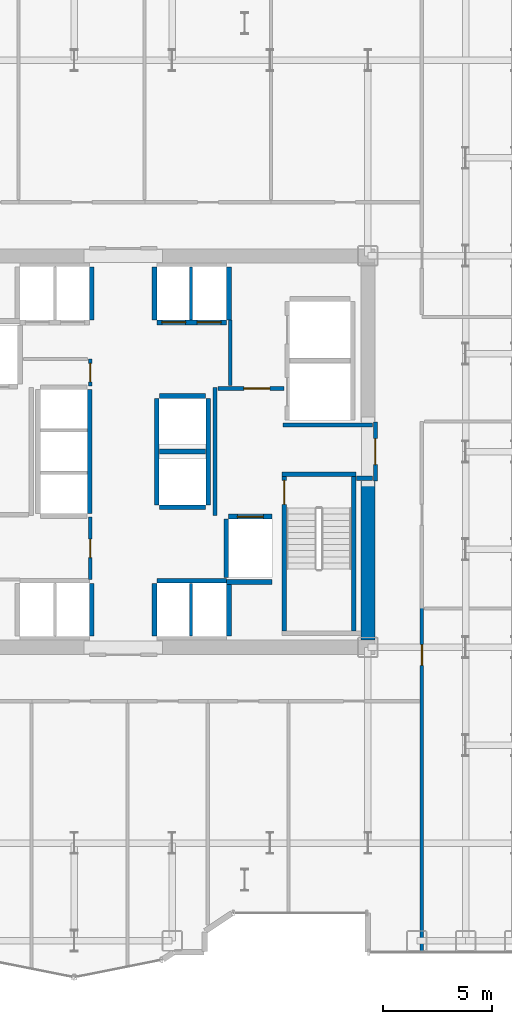
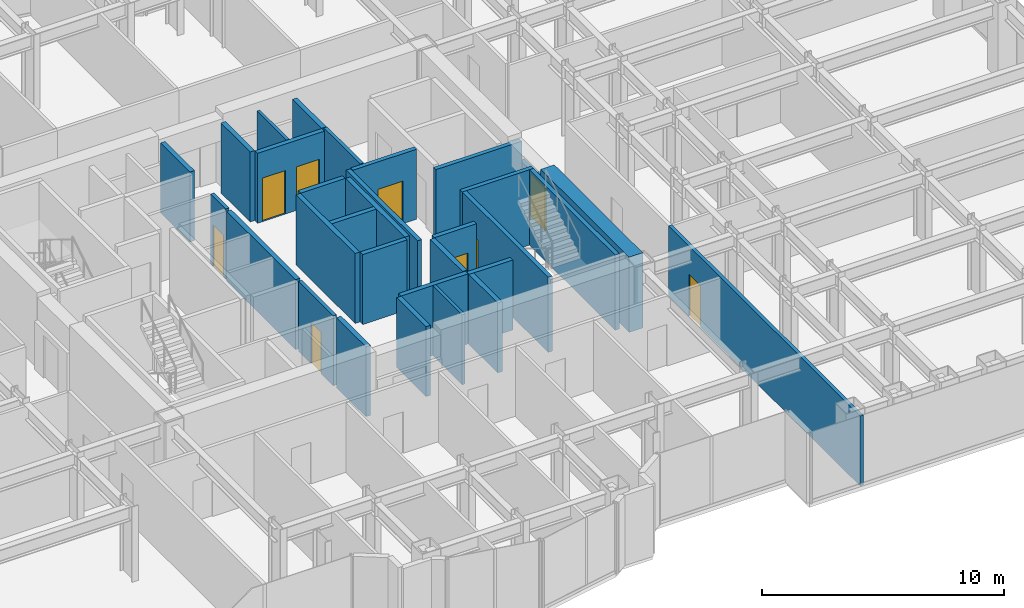
# One storey, part 22 of 25: 32 walls, 9 doors, 9 openings.
"""IFC4 building model written with IfcOpenShell, lengths in metres."""

from ifc_helpers import new_model, si_unit, direction, frame, frame_2d, origin, place, context, subcontext, project, spatial, rectangle, extrude, source, transform, mapped, material, layer, layer_set, type_object, element, fill, save


model = new_model("IFC4")

# Units and contexts
model_context = context("Model", 3, precision=1e-05, world=origin(), true_north=direction((0.0, 1.0)))
body_context = subcontext(model_context, "Body", "Model", "MODEL_VIEW")
ifc_project = project(units=[si_unit("LENGTHUNIT", "METRE"), si_unit("AREAUNIT", "SQUARE_METRE"), si_unit("VOLUMEUNIT", "CUBIC_METRE"), si_unit("PLANEANGLEUNIT", "RADIAN"), si_unit("MASSUNIT", "GRAM", prefix="KILO")], contexts=[model_context])

# Site, building, storey
site_placement = place(None, origin())
site = spatial("IfcSite", under=ifc_project, at=site_placement, CompositionType="ELEMENT")
building_placement = place(site_placement, origin())
building = spatial("IfcBuilding", under=site, at=building_placement, Name="Nefas-Gora Pilgrimage Tower", CompositionType="ELEMENT")
storey_placement = place(building_placement, frame((0.0, 0.0, 52.0)))
storey = spatial("IfcBuildingStorey", under=building, at=storey_placement, Name="L11", CompositionType="ELEMENT", Elevation=52.0)

# Walls
ifc_material_1 = material(Name="Concrete C60/75", Category="concrete")
ifc_layer_1 = layer(ifc_material_1, 0.64990234375)
ifc_layer_set_1 = layer_set([ifc_layer_1], Name="Concrete C60/75")
wall_type_1 = type_object("IfcWallType", Name="SW-CORE-650", PredefinedType="SHEAR", material=ifc_layer_set_1)
shared_shape_1 = source(origin(), body_context, "Body", "SweptSolid", [
    extrude(rectangle(XDim=7.324951171875, YDim=0.64990234375, at=frame_2d((3.66259765625, 0.0))), origin(), (0.0, 0.0, 1.0), 3.800048828125),
])
wall_1_placement = place(storey_placement, frame((11.25, -8.675048828125, 0.0), z_axis=(0.0, 0.0, 1.0), x_axis=(0.0, 1.0, 0.0)))
element("IfcWall", 1, at=wall_1_placement, inside=storey, type_object=wall_type_1, Name="L11 Core Shear Wall E-South", PredefinedType="SHEAR", context=body_context, shape_type="MappedRepresentation", body=[
    mapped(shared_shape_1, transform((0.0, 0.0, 0.0), x_axis=(1.0, 0.0, 0.0), y_axis=(0.0, 1.0, 0.0), z_axis=(0.0, 0.0, 1.0), scale=1.0)),
])
ifc_material_2 = material(Name="Concrete C45/55", Category="concrete")
ifc_layer_2 = layer(ifc_material_2, 0.199951171875)
ifc_layer_set_2 = layer_set([ifc_layer_2], Name="Concrete C45/55")
wall_type_2 = type_object("IfcWallType", Name="IW-STAIR-200", PredefinedType="SOLIDWALL", material=ifc_layer_set_2)
shared_shape_2 = source(origin(), body_context, "Body", "SweptSolid", [
    extrude(rectangle(XDim=3.39990234375, YDim=0.199951171875, at=frame_2d((1.699951171875, 0.0))), origin(), (0.0, 0.0, 1.0), 3.800048828125),
])
wall_2_placement = place(storey_placement, frame((7.300048828125, -1.050048828125, 0.0), z_axis=(0.0, 0.0, 1.0), x_axis=(1.0, 0.0, 0.0)))
element("IfcWall", 2, at=wall_2_placement, inside=storey, type_object=wall_type_2, Name="L11 Stairwell Shear Wall ST-02-near", PredefinedType="SOLIDWALL", context=body_context, shape_type="MappedRepresentation", body=[
    mapped(shared_shape_2, transform((0.0, 0.0, 0.0), x_axis=(1.0, 0.0, 0.0), y_axis=(0.0, 1.0, 0.0), z_axis=(0.0, 0.0, 1.0), scale=1.0)),
])

# Wall, opening, door
shared_shape_3 = source(origin(), body_context, "Body", "SweptSolid", [
    extrude(rectangle(XDim=7.10009765625, YDim=0.199951171875, at=frame_2d((3.550048828125, 0.0))), origin(), (0.0, 0.0, 1.0), 3.800048828125),
])
wall_3_placement = place(storey_placement, frame((7.39990234375, -1.14990234375, 0.0), z_axis=(0.0, 0.0, 1.0), x_axis=(0.0, -1.0, 0.0)))
wall_3 = element("IfcWall", 3, at=wall_3_placement, inside=storey, type_object=wall_type_2, Name="L11 Stairwell Shear Wall ST-02-left", PredefinedType="SOLIDWALL", context=body_context, shape_type="MappedRepresentation", body=[
    mapped(shared_shape_3, transform((0.0, 0.0, 0.0), x_axis=(1.0, 0.0, 0.0), y_axis=(0.0, 1.0, 0.0), z_axis=(0.0, 0.0, 1.0), scale=1.0)),
])
opening_1_placement = place(wall_3_placement, frame((0.179931640625, 0.0, 0.0)))
opening_1 = element("IfcOpeningElement", 4, at=opening_1_placement, cuts=wall_3, Name="Opening ID-ST1", PredefinedType="OPENING", context=body_context, shape_type="SweptSolid", body=[
    extrude(rectangle(XDim=1.10009765625, YDim=2.14990234375, at=frame_2d((0.550048828125, 1.074951171875))), frame((0.0, 0.10986328125, 0.0), z_axis=(0.0, -1.0, 0.0), x_axis=(1.0, 0.0, 0.0)), (0.0, 0.0, 1.0), 0.219970703125),
])
ifc_material_3 = material(Name="Painted galvanised steel fire stair door", Category="steel")
door_type_1 = type_object("IfcDoorType", Name="DR-INT-STAIR-1100", OperationType="NOTDEFINED", PredefinedType="DOOR", material=ifc_material_3)
shared_shape_4 = source(origin(), body_context, "Body", "SweptSolid", [
    extrude(rectangle(XDim=1.10009765625, YDim=2.14990234375, at=frame_2d((0.550048828125, 1.074951171875))), frame((0.0, 0.02490234375, 0.0), z_axis=(0.0, -1.0, 0.0), x_axis=(1.0, 0.0, 0.0)), (0.0, 0.0, 1.0), 0.050048828125),
])
door_1_placement = place(opening_1_placement, origin())
door_1 = element("IfcDoor", 5, at=door_1_placement, inside=storey, type_object=door_type_1, Name="L11 Protected Exit Stair Door ST-02", OperationType="SINGLE_SWING_RIGHT", OverallHeight=2.14990234375, OverallWidth=1.10009765625, PredefinedType="DOOR", context=body_context, shape_type="MappedRepresentation", body=[
    mapped(shared_shape_4, transform((0.0, 0.0, 0.0), x_axis=(1.0, 0.0, 0.0), y_axis=(0.0, 1.0, 0.0), z_axis=(0.0, 0.0, 1.0), scale=1.0)),
])
fill(opening_1, door_1)

# Wall
wall_4_placement = place(storey_placement, frame((10.60009765625, -1.14990234375, 0.0), z_axis=(0.0, 0.0, 1.0), x_axis=(0.0, -1.0, 0.0)))
element("IfcWall", 6, at=wall_4_placement, inside=storey, type_object=wall_type_2, Name="L11 Stairwell Shear Wall ST-02-right", PredefinedType="SOLIDWALL", context=body_context, shape_type="MappedRepresentation", body=[
    mapped(shared_shape_3, transform((0.0, 0.0, 0.0), x_axis=(1.0, 0.0, 0.0), y_axis=(0.0, 1.0, 0.0), z_axis=(0.0, 0.0, 1.0), scale=1.0)),
])

# Wall, opening, door
ifc_material_4 = material(Name="Concrete C40/50", Category="concrete")
ifc_layer_3 = layer(ifc_material_4, 0.219970703125)
ifc_layer_set_3 = layer_set([ifc_layer_3], Name="Concrete C40/50")
wall_type_3 = type_object("IfcWallType", Name="IW-SHAFT-220", PredefinedType="SOLIDWALL", material=ifc_layer_set_3)
shared_shape_5 = source(origin(), body_context, "Body", "SweptSolid", [
    extrude(rectangle(XDim=2.0, YDim=0.219970703125, at=frame_2d((1.0, 0.0))), origin(), (0.0, 0.0, 1.0), 3.534912109375),
])
wall_5_placement = place(storey_placement, frame((6.85009765625, -2.989990234375, 0.0), z_axis=(0.0, 0.0, 1.0), x_axis=(-1.0, 0.0, 0.0)))
wall_5 = element("IfcWall", 7, at=wall_5_placement, inside=storey, type_object=wall_type_3, Name="L11 Hoistway Wall FFL-02-N", PredefinedType="SOLIDWALL", context=body_context, shape_type="MappedRepresentation", body=[
    mapped(shared_shape_5, transform((0.0, 0.0, 0.0), x_axis=(1.0, 0.0, 0.0), y_axis=(0.0, 1.0, 0.0), z_axis=(0.0, 0.0, 1.0), scale=1.0)),
])
opening_2_placement = place(wall_5_placement, frame((0.39990234375, 0.0, 0.0)))
opening_2 = element("IfcOpeningElement", 8, at=opening_2_placement, cuts=wall_5, Name="Opening LD-FF", PredefinedType="OPENING", context=body_context, shape_type="SweptSolid", body=[
    extrude(rectangle(XDim=1.199951171875, YDim=2.199951171875, at=frame_2d((0.60009765625, 1.10009765625))), frame((0.0, 0.119873046875, 0.0), z_axis=(0.0, -1.0, 0.0), x_axis=(1.0, 0.0, 0.0)), (0.0, 0.0, 1.0), 0.239990234375),
])
ifc_material_5 = material(Name="Fire-service sliding lift landing door")
door_type_2 = type_object("IfcDoorType", Name="DR-LIFT-FSAE-1200", OperationType="SLIDING_TO_LEFT", PredefinedType="DOOR", material=ifc_material_5)
shared_shape_6 = source(origin(), body_context, "Body", "SweptSolid", [
    extrude(rectangle(XDim=1.199951171875, YDim=2.199951171875, at=frame_2d((0.60009765625, 1.10009765625))), frame((0.0, 0.02490234375, 0.0), z_axis=(0.0, -1.0, 0.0), x_axis=(1.0, 0.0, 0.0)), (0.0, 0.0, 1.0), 0.050048828125),
])
door_2_placement = place(opening_2_placement, origin())
door_2 = element("IfcDoor", 9, at=door_2_placement, inside=storey, type_object=door_type_2, Name="L11 Sliding Lift Landing Door FFL-02", OperationType="SLIDING_TO_LEFT", OverallHeight=2.199951171875, OverallWidth=1.199951171875, PredefinedType="DOOR", context=body_context, shape_type="MappedRepresentation", body=[
    mapped(shared_shape_6, transform((0.0, 0.0, 0.0), x_axis=(1.0, 0.0, 0.0), y_axis=(0.0, 1.0, 0.0), z_axis=(0.0, 0.0, 1.0), scale=1.0)),
])
fill(opening_2, door_2)

# Wall
shared_shape_7 = source(origin(), body_context, "Body", "SweptSolid", [
    extrude(rectangle(XDim=2.679931640625, YDim=0.219970703125, at=frame_2d((1.33984375, 0.0))), origin(), (0.0, 0.0, 1.0), 3.534912109375),
])
wall_6_placement = place(storey_placement, frame((4.739990234375, -3.110107421875, 0.0), z_axis=(0.0, 0.0, 1.0), x_axis=(0.0, -1.0, 0.0)))
element("IfcWall", 10, at=wall_6_placement, inside=storey, type_object=wall_type_3, Name="L11 Hoistway Wall FFL-02-W", PredefinedType="SOLIDWALL", context=body_context, shape_type="MappedRepresentation", body=[
    mapped(shared_shape_7, transform((0.0, 0.0, 0.0), x_axis=(1.0, 0.0, 0.0), y_axis=(0.0, 1.0, 0.0), z_axis=(0.0, 0.0, 1.0), scale=1.0)),
])

# Wall, openings, doors
shared_shape_8 = source(origin(), body_context, "Body", "SweptSolid", [
    extrude(rectangle(XDim=3.199951171875, YDim=0.219970703125, at=frame_2d((1.60009765625, 0.0))), origin(), (0.0, 0.0, 1.0), 3.534912109375),
])
wall_7_placement = place(storey_placement, frame((1.550048828125, 5.93994140625, 0.0), z_axis=(0.0, 0.0, 1.0), x_axis=(1.0, 0.0, 0.0)))
wall_7 = element("IfcWall", 11, at=wall_7_placement, inside=storey, type_object=wall_type_3, Name="L11 Hoistway Wall PL1-E-S", PredefinedType="SOLIDWALL", context=body_context, shape_type="MappedRepresentation", body=[
    mapped(shared_shape_8, transform((0.0, 0.0, 0.0), x_axis=(1.0, 0.0, 0.0), y_axis=(0.0, 1.0, 0.0), z_axis=(0.0, 0.0, 1.0), scale=1.0)),
])
opening_3_placement = place(wall_7_placement, frame((0.22509765625, 0.0, 0.0)))
opening_3 = element("IfcOpeningElement", 12, at=opening_3_placement, cuts=wall_7, Name="Opening LD-01", PredefinedType="OPENING", context=body_context, shape_type="SweptSolid", body=[
    extrude(rectangle(XDim=1.10009765625, YDim=2.199951171875, at=frame_2d((0.550048828125, 1.10009765625))), frame((0.0, 0.119873046875, 0.0), z_axis=(0.0, -1.0, 0.0), x_axis=(1.0, 0.0, 0.0)), (0.0, 0.0, 1.0), 0.239990234375),
])
opening_4_placement = place(wall_7_placement, frame((1.85009765625, 0.0, 0.0)))
opening_4 = element("IfcOpeningElement", 13, at=opening_4_placement, cuts=wall_7, Name="Opening LD-01", PredefinedType="OPENING", context=body_context, shape_type="SweptSolid", body=[
    extrude(rectangle(XDim=1.10009765625, YDim=2.199951171875, at=frame_2d((0.550048828125, 1.10009765625))), frame((0.0, 0.119873046875, 0.0), z_axis=(0.0, -1.0, 0.0), x_axis=(1.0, 0.0, 0.0)), (0.0, 0.0, 1.0), 0.239990234375),
])
ifc_material_6 = material(Name="Brushed stainless sliding lift landing door")
door_type_3 = type_object("IfcDoorType", Name="DR-LIFT-PASS-1100", OperationType="DOUBLE_DOOR_SLIDING", PredefinedType="DOOR", material=ifc_material_6)
shared_shape_9 = source(origin(), body_context, "Body", "SweptSolid", [
    extrude(rectangle(XDim=1.10009765625, YDim=2.199951171875, at=frame_2d((0.550048828125, 1.10009765625))), frame((0.0, 0.02490234375, 0.0), z_axis=(0.0, -1.0, 0.0), x_axis=(1.0, 0.0, 0.0)), (0.0, 0.0, 1.0), 0.050048828125),
])
door_3_placement = place(opening_3_placement, origin())
door_3 = element("IfcDoor", 14, at=door_3_placement, inside=storey, type_object=door_type_3, Name="L11 Sliding Lift Landing Door PL1-03", OperationType="DOUBLE_DOOR_SLIDING", OverallHeight=2.199951171875, OverallWidth=1.10009765625, PredefinedType="DOOR", context=body_context, shape_type="MappedRepresentation", body=[
    mapped(shared_shape_9, transform((0.0, 0.0, 0.0), x_axis=(1.0, 0.0, 0.0), y_axis=(0.0, 1.0, 0.0), z_axis=(0.0, 0.0, 1.0), scale=1.0)),
])
fill(opening_3, door_3)
door_4_placement = place(opening_4_placement, origin())
door_4 = element("IfcDoor", 15, at=door_4_placement, inside=storey, type_object=door_type_3, Name="L11 Sliding Lift Landing Door PL1-04", OperationType="DOUBLE_DOOR_SLIDING", OverallHeight=2.199951171875, OverallWidth=1.10009765625, PredefinedType="DOOR", context=body_context, shape_type="MappedRepresentation", body=[
    mapped(shared_shape_9, transform((0.0, 0.0, 0.0), x_axis=(1.0, 0.0, 0.0), y_axis=(0.0, 1.0, 0.0), z_axis=(0.0, 0.0, 1.0), scale=1.0)),
])
fill(opening_4, door_4)

# Walls
wall_8_placement = place(storey_placement, frame((4.75, -5.93994140625, 0.0), z_axis=(0.0, 0.0, 1.0), x_axis=(-1.0, 0.0, 0.0)))
element("IfcWall", 16, at=wall_8_placement, inside=storey, type_object=wall_type_3, Name="L11 Hoistway Wall PL2-E-N", PredefinedType="SOLIDWALL", context=body_context, shape_type="MappedRepresentation", body=[
    mapped(shared_shape_8, transform((0.0, 0.0, 0.0), x_axis=(1.0, 0.0, 0.0), y_axis=(0.0, 1.0, 0.0), z_axis=(0.0, 0.0, 1.0), scale=1.0)),
])
shared_shape_10 = source(origin(), body_context, "Body", "SweptSolid", [
    extrude(rectangle(XDim=2.429931640625, YDim=0.219970703125, at=frame_2d((1.21484375, 0.0))), origin(), (0.0, 0.0, 1.0), 3.534912109375),
])
for number, where, z_axis, x_axis, name in (
    (17, (-1.43994140625, 6.06005859375, 0.0), (0.0, 0.0, 1.0), (0.0, 1.0, 0.0), "L11 Hoistway Wall PL1-W-E"),
    (18, (1.43994140625, 8.489990234375, 0.0), (0.0, 0.0, 1.0), (0.0, -1.0, 0.0), "L11 Hoistway Wall PL1-E-W"),
    (19, (4.860107421875, 6.06005859375, 0.0), (0.0, 0.0, 1.0), (0.0, 1.0, 0.0), "L11 Hoistway Wall PL1-E-E"),
    (20, (-1.43994140625, -8.489990234375, 0.0), (0.0, 0.0, 1.0), (0.0, 1.0, 0.0), "L11 Hoistway Wall PL2-W-E"),
    (21, (1.43994140625, -6.06005859375, 0.0), (0.0, 0.0, 1.0), (0.0, -1.0, 0.0), "L11 Hoistway Wall PL2-E-W"),
    (22, (4.860107421875, -8.489990234375, 0.0), (0.0, 0.0, 1.0), (0.0, 1.0, 0.0), "L11 Hoistway Wall PL2-E-E"),
):
    element("IfcWall", number, at=place(storey_placement, frame(where, z_axis=z_axis, x_axis=x_axis)), inside=storey, type_object=wall_type_3, Name=name, PredefinedType="SOLIDWALL", context=body_context, shape_type="MappedRepresentation", body=[
        mapped(shared_shape_10, transform((0.0, 0.0, 0.0), x_axis=(1.0, 0.0, 0.0), y_axis=(0.0, 1.0, 0.0), z_axis=(0.0, 0.0, 1.0), scale=1.0)),
    ])
ifc_material_7 = material(Name="Gypsum twin-stud partition")
ifc_layer_4 = layer(ifc_material_7, 0.139892578125)
ifc_layer_set_4 = layer_set([ifc_layer_4], Name="Gypsum twin-stud partition")
wall_type_4 = type_object("IfcWallType", Name="IW-UNIT-140", PredefinedType="PARTITIONING", material=ifc_layer_set_4)
shared_shape_11 = source(origin(), body_context, "Body", "SweptSolid", [
    extrude(rectangle(XDim=2.429931640625, YDim=0.139892578125, at=frame_2d((1.21484375, 0.0))), origin(), (0.0, 0.0, 1.0), 3.534912109375),
])
for number, where, z_axis, x_axis, name in (
    (23, (3.125, 6.06005859375, 0.0), (0.0, 0.0, 1.0), (0.0, 1.0, 0.0), "L11 Hoistway Wall PL1-E-DIV"),
    (24, (3.125, -8.489990234375, 0.0), (0.0, 0.0, 1.0), (0.0, 1.0, 0.0), "L11 Hoistway Wall PL2-E-DIV"),
):
    element("IfcWall", number, at=place(storey_placement, frame(where, z_axis=z_axis, x_axis=x_axis)), inside=storey, type_object=wall_type_4, Name=name, PredefinedType="PARTITIONING", context=body_context, shape_type="MappedRepresentation", body=[
        mapped(shared_shape_11, transform((0.0, 0.0, 0.0), x_axis=(1.0, 0.0, 0.0), y_axis=(0.0, 1.0, 0.0), z_axis=(0.0, 0.0, 1.0), scale=1.0)),
    ])
shared_shape_12 = source(origin(), body_context, "Body", "SweptSolid", [
    extrude(rectangle(XDim=5.7001953125, YDim=0.219970703125, at=frame_2d((2.85009765625, 0.0))), origin(), (0.0, 0.0, 1.0), 3.534912109375),
])
wall_9_placement = place(storey_placement, frame((-1.5400390625, -2.85009765625, 0.0), z_axis=(0.0, 0.0, 1.0), x_axis=(0.0, 1.0, 0.0)))
element("IfcWall", 25, at=wall_9_placement, inside=storey, type_object=wall_type_3, Name="L11 Hoistway Wall PL3-01-03-E", PredefinedType="SOLIDWALL", context=body_context, shape_type="MappedRepresentation", body=[
    mapped(shared_shape_12, transform((0.0, 0.0, 0.0), x_axis=(1.0, 0.0, 0.0), y_axis=(0.0, 1.0, 0.0), z_axis=(0.0, 0.0, 1.0), scale=1.0)),
])
shared_shape_13 = source(origin(), body_context, "Body", "SweptSolid", [
    extrude(rectangle(XDim=2.130126953125, YDim=0.219970703125, at=frame_2d((1.06494140625, 0.0))), origin(), (0.0, 0.0, 1.0), 3.534912109375),
])
for number, where, z_axis, x_axis, name in (
    (26, (1.659912109375, -2.56005859375, 0.0), (0.0, 0.0, 1.0), (1.0, 0.0, 0.0), "L11 Hoistway Wall OBS-01-S"),
    (27, (1.659912109375, 0.0, 0.0), (0.0, 0.0, 1.0), (1.0, 0.0, 0.0), "L11 Hoistway Wall OBS-01-02-DIV"),
    (28, (3.7900390625, 2.56005859375, 0.0), (0.0, 0.0, 1.0), (-1.0, 0.0, 0.0), "L11 Hoistway Wall OBS-02-N"),
):
    element("IfcWall", number, at=place(storey_placement, frame(where, z_axis=z_axis, x_axis=x_axis)), inside=storey, type_object=wall_type_3, Name=name, PredefinedType="SOLIDWALL", context=body_context, shape_type="MappedRepresentation", body=[
        mapped(shared_shape_13, transform((0.0, 0.0, 0.0), x_axis=(1.0, 0.0, 0.0), y_axis=(0.0, 1.0, 0.0), z_axis=(0.0, 0.0, 1.0), scale=1.0)),
    ])
shared_shape_14 = source(origin(), body_context, "Body", "SweptSolid", [
    extrude(rectangle(XDim=4.89990234375, YDim=0.219970703125, at=frame_2d((2.449951171875, 0.0))), origin(), (0.0, 0.0, 1.0), 3.534912109375),
])
for number, where, z_axis, x_axis, name in (
    (29, (1.5400390625, 2.449951171875, 0.0), (0.0, 0.0, 1.0), (0.0, -1.0, 0.0), "L11 Hoistway Wall OBS-01-02-W"),
    (30, (3.909912109375, -2.449951171875, 0.0), (0.0, 0.0, 1.0), (0.0, 1.0, 0.0), "L11 Hoistway Wall OBS-01-02-E"),
):
    element("IfcWall", number, at=place(storey_placement, frame(where, z_axis=z_axis, x_axis=x_axis)), inside=storey, type_object=wall_type_3, Name=name, PredefinedType="SOLIDWALL", context=body_context, shape_type="MappedRepresentation", body=[
        mapped(shared_shape_14, transform((0.0, 0.0, 0.0), x_axis=(1.0, 0.0, 0.0), y_axis=(0.0, 1.0, 0.0), z_axis=(0.0, 0.0, 1.0), scale=1.0)),
    ])
shared_shape_15 = source(origin(), body_context, "Body", "SweptSolid", [
    extrude(rectangle(XDim=2.09521484375, YDim=0.219970703125, at=frame_2d((1.047607421875, 0.0))), origin(), (0.0, 0.0, 1.0), 3.534912109375),
])
wall_10_placement = place(storey_placement, frame((4.7548828125, -6.0, 0.0), z_axis=(0.0, 0.0, 1.0), x_axis=(1.0, 0.0, 0.0)))
element("IfcWall", 31, at=wall_10_placement, inside=storey, type_object=wall_type_3, Name="L11 Riser Shaft Wall 2", PredefinedType="SOLIDWALL", context=body_context, shape_type="MappedRepresentation", body=[
    mapped(shared_shape_15, transform((0.0, 0.0, 0.0), x_axis=(1.0, 0.0, 0.0), y_axis=(0.0, 1.0, 0.0), z_axis=(0.0, 0.0, 1.0), scale=1.0)),
])

# Wall, opening, door
ifc_material_8 = material(Name="Gypsum fire-rated shaftwall")
ifc_layer_5 = layer(ifc_material_8, 0.199951171875)
ifc_layer_set_5 = layer_set([ifc_layer_5], Name="Gypsum fire-rated shaftwall")
wall_type_5 = type_object("IfcWallType", Name="IW-FFLOB-200", PredefinedType="PARTITIONING", material=ifc_layer_set_5)
shared_shape_16 = source(origin(), body_context, "Body", "SweptSolid", [
    extrude(rectangle(XDim=2.7001953125, YDim=0.199951171875, at=frame_2d((1.35009765625, 0.0))), origin(), (0.0, 0.0, 1.0), 2.425048828125),
])
wall_11_placement = place(storey_placement, frame((11.60009765625, -1.35009765625, 0.0), z_axis=(0.0, 0.0, 1.0), x_axis=(0.0, 1.0, 0.0)))
wall_11 = element("IfcWall", 32, at=wall_11_placement, inside=storey, type_object=wall_type_5, Name="L11 FF Lobby East Portal Wall 8", PredefinedType="PARTITIONING", context=body_context, shape_type="MappedRepresentation", body=[
    mapped(shared_shape_16, transform((0.0, 0.0, 0.0), x_axis=(1.0, 0.0, 0.0), y_axis=(0.0, 1.0, 0.0), z_axis=(0.0, 0.0, 1.0), scale=1.0)),
])
opening_5_placement = place(wall_11_placement, frame((0.75, 0.0, 0.0)))
opening_5 = element("IfcOpeningElement", 33, at=opening_5_placement, cuts=wall_11, Name="Opening ID-FF1", PredefinedType="OPENING", context=body_context, shape_type="SweptSolid", body=[
    extrude(rectangle(XDim=1.199951171875, YDim=2.14990234375, at=frame_2d((0.60009765625, 1.074951171875))), frame((0.0, 0.10986328125, 0.0), z_axis=(0.0, -1.0, 0.0), x_axis=(1.0, 0.0, 0.0)), (0.0, 0.0, 1.0), 0.219970703125),
])
ifc_material_9 = material(Name="Smoke-sealed steel firefighting lobby door", Category="steel")
door_type_4 = type_object("IfcDoorType", Name="DR-INT-FFLOB-1200", OperationType="NOTDEFINED", PredefinedType="DOOR", material=ifc_material_9)
shared_shape_17 = source(origin(), body_context, "Body", "SweptSolid", [
    extrude(rectangle(XDim=1.199951171875, YDim=2.14990234375, at=frame_2d((0.60009765625, 1.074951171875))), frame((0.0, 0.02490234375, 0.0), z_axis=(0.0, -1.0, 0.0), x_axis=(1.0, 0.0, 0.0)), (0.0, 0.0, 1.0), 0.050048828125),
])
door_5_placement = place(opening_5_placement, origin())
door_5 = element("IfcDoor", 34, at=door_5_placement, inside=storey, type_object=door_type_4, Name="L11 FF Lobby East Portal Door 2", OperationType="SINGLE_SWING_LEFT", OverallHeight=2.14990234375, OverallWidth=1.199951171875, PredefinedType="DOOR", context=body_context, shape_type="MappedRepresentation", body=[
    mapped(shared_shape_17, transform((0.0, 0.0, 0.0), x_axis=(1.0, 0.0, 0.0), y_axis=(0.0, 1.0, 0.0), z_axis=(0.0, 0.0, 1.0), scale=1.0)),
])
fill(opening_5, door_5)

# Walls
shared_shape_18 = source(origin(), body_context, "Body", "SweptSolid", [
    extrude(rectangle(XDim=5.89990234375, YDim=0.199951171875, at=frame_2d((2.949951171875, 0.0))), origin(), (0.0, 0.0, 1.0), 3.534912109375),
])
wall_12_placement = place(storey_placement, frame((4.219970703125, -2.949951171875, 0.0), z_axis=(0.0, 0.0, 1.0), x_axis=(0.0, 1.0, 0.0)))
element("IfcWall", 35, at=wall_12_placement, inside=storey, type_object=wall_type_5, Name="L11 FF Lobby East Inner Wall Wall 9", PredefinedType="PARTITIONING", context=body_context, shape_type="MappedRepresentation", body=[
    mapped(shared_shape_18, transform((0.0, 0.0, 0.0), x_axis=(1.0, 0.0, 0.0), y_axis=(0.0, 1.0, 0.0), z_axis=(0.0, 0.0, 1.0), scale=1.0)),
])
shared_shape_19 = source(origin(), body_context, "Body", "SweptSolid", [
    extrude(rectangle(XDim=0.719970703125, YDim=0.199951171875, at=frame_2d((0.35986328125, 0.0))), origin(), (0.0, 0.0, 1.0), 3.534912109375),
])
wall_13_placement = place(storey_placement, frame((10.739990234375, -1.219970703125, 0.0), z_axis=(0.0, 0.0, 1.0), x_axis=(1.0, 0.0, 0.0)))
element("IfcWall", 36, at=wall_13_placement, inside=storey, type_object=wall_type_5, Name="L11 FF Lobby East Throat S Wall 12", PredefinedType="PARTITIONING", context=body_context, shape_type="MappedRepresentation", body=[
    mapped(shared_shape_19, transform((0.0, 0.0, 0.0), x_axis=(1.0, 0.0, 0.0), y_axis=(0.0, 1.0, 0.0), z_axis=(0.0, 0.0, 1.0), scale=1.0)),
])

# Wall, opening, door
shared_shape_20 = source(origin(), body_context, "Body", "SweptSolid", [
    extrude(rectangle(XDim=3.039794921875, YDim=0.199951171875, at=frame_2d((1.52001953125, 0.0))), origin(), (0.0, 0.0, 1.0), 3.534912109375),
])
wall_14_placement = place(storey_placement, frame((4.360107421875, 2.89990234375, 0.0), z_axis=(0.0, 0.0, 1.0), x_axis=(1.0, 0.0, 0.0)))
wall_14 = element("IfcWall", 37, at=wall_14_placement, inside=storey, type_object=wall_type_5, Name="L11 FF Lobby East North Wall Wall 10", PredefinedType="PARTITIONING", context=body_context, shape_type="MappedRepresentation", body=[
    mapped(shared_shape_20, transform((0.0, 0.0, 0.0), x_axis=(1.0, 0.0, 0.0), y_axis=(0.0, 1.0, 0.0), z_axis=(0.0, 0.0, 1.0), scale=1.0)),
])
opening_6_placement = place(wall_14_placement, frame((1.18994140625, 0.0, 0.0)))
opening_6 = element("IfcOpeningElement", 38, at=opening_6_placement, cuts=wall_14, Name="Opening ID-PL1", PredefinedType="OPENING", context=body_context, shape_type="SweptSolid", body=[
    extrude(rectangle(XDim=1.199951171875, YDim=2.14990234375, at=frame_2d((0.60009765625, 1.074951171875))), frame((0.0, 0.10986328125, 0.0), z_axis=(0.0, -1.0, 0.0), x_axis=(1.0, 0.0, 0.0)), (0.0, 0.0, 1.0), 0.219970703125),
])
ifc_material_10 = material(Name="Heavy-duty steel plant room fire door", Category="steel")
door_type_5 = type_object("IfcDoorType", Name="DR-INT-PLANT-1200", OperationType="NOTDEFINED", PredefinedType="DOOR", material=ifc_material_10)
door_6_placement = place(opening_6_placement, origin())
door_6 = element("IfcDoor", 39, at=door_6_placement, inside=storey, type_object=door_type_5, Name="L11 Service Lift Lobby Door Door 3", OperationType="SINGLE_SWING_RIGHT", OverallHeight=2.14990234375, OverallWidth=1.199951171875, PredefinedType="DOOR", context=body_context, shape_type="MappedRepresentation", body=[
    mapped(shared_shape_17, transform((0.0, 0.0, 0.0), x_axis=(1.0, 0.0, 0.0), y_axis=(0.0, 1.0, 0.0), z_axis=(0.0, 0.0, 1.0), scale=1.0)),
])
fill(opening_6, door_6)

# Walls
shared_shape_21 = source(origin(), body_context, "Body", "SweptSolid", [
    extrude(rectangle(XDim=4.10986328125, YDim=0.199951171875, at=frame_2d((2.054931640625, 0.0))), origin(), (0.0, 0.0, 1.0), 3.534912109375),
])
wall_15_placement = place(storey_placement, frame((7.35009765625, 1.219970703125, 0.0), z_axis=(0.0, 0.0, 1.0), x_axis=(1.0, 0.0, 0.0)))
element("IfcWall", 40, at=wall_15_placement, inside=storey, type_object=wall_type_5, Name="L11 FF Lobby East Throat N Wall 11", PredefinedType="PARTITIONING", context=body_context, shape_type="MappedRepresentation", body=[
    mapped(shared_shape_21, transform((0.0, 0.0, 0.0), x_axis=(1.0, 0.0, 0.0), y_axis=(0.0, 1.0, 0.0), z_axis=(0.0, 0.0, 1.0), scale=1.0)),
])
ifc_material_11 = material(Name="Gypsum acoustic stud partition")
ifc_layer_6 = layer(ifc_material_11, 0.159912109375)
ifc_layer_set_6 = layer_set([ifc_layer_6], Name="Gypsum acoustic stud partition")
wall_type_6 = type_object("IfcWallType", Name="IW-CORR-160", PredefinedType="PARTITIONING", material=ifc_layer_set_6)
shared_shape_22 = source(origin(), body_context, "Body", "SweptSolid", [
    extrude(rectangle(XDim=3.014892578125, YDim=0.159912109375, at=frame_2d((1.50732421875, 0.0))), origin(), (0.0, 0.0, 1.0), 3.534912109375),
])
wall_16_placement = place(storey_placement, frame((4.919921875, 3.0400390625, 0.0), z_axis=(0.0, 0.0, 1.0), x_axis=(0.0, 1.0, 0.0)))
element("IfcWall", 41, at=wall_16_placement, inside=storey, type_object=wall_type_6, Name="L11 Service Lift Lobby West Wall Wall 15", PredefinedType="PARTITIONING", context=body_context, shape_type="MappedRepresentation", body=[
    mapped(shared_shape_22, transform((0.0, 0.0, 0.0), x_axis=(1.0, 0.0, 0.0), y_axis=(0.0, 1.0, 0.0), z_axis=(0.0, 0.0, 1.0), scale=1.0)),
])

# Wall, opening, door
shared_shape_23 = source(origin(), body_context, "Body", "SweptSolid", [
    extrude(rectangle(XDim=1.25, YDim=0.159912109375, at=frame_2d((0.625, 0.0))), origin(), (0.0, 0.0, 1.0), 3.534912109375),
])
wall_17_placement = place(storey_placement, frame((-1.52001953125, 3.010009765625, 0.0), z_axis=(0.0, 0.0, 1.0), x_axis=(0.0, 1.0, 0.0)))
wall_17 = element("IfcWall", 42, at=wall_17_placement, inside=storey, type_object=wall_type_6, Name="L11 Housekeeping and Linen Store Wall 16", PredefinedType="PARTITIONING", context=body_context, shape_type="MappedRepresentation", body=[
    mapped(shared_shape_23, transform((0.0, 0.0, 0.0), x_axis=(1.0, 0.0, 0.0), y_axis=(0.0, 1.0, 0.0), z_axis=(0.0, 0.0, 1.0), scale=1.0)),
])
opening_7_placement = place(wall_17_placement, frame((0.199951171875, 0.0, 0.0)))
opening_7 = element("IfcOpeningElement", 43, at=opening_7_placement, cuts=wall_17, Name="Opening ID-BT1", PredefinedType="OPENING", context=body_context, shape_type="SweptSolid", body=[
    extrude(rectangle(XDim=0.85009765625, YDim=2.10009765625, at=frame_2d((0.425048828125, 1.050048828125))), frame((0.0, 0.08984375, 0.0), z_axis=(0.0, -1.0, 0.0), x_axis=(1.0, 0.0, 0.0)), (0.0, 0.0, 1.0), 0.179931640625),
])
ifc_material_12 = material(Name="Moisture-resistant fire-rated timber door", Category="wood")
door_type_6 = type_object("IfcDoorType", Name="DR-INT-BATH-850", OperationType="NOTDEFINED", PredefinedType="DOOR", material=ifc_material_12)
shared_shape_24 = source(origin(), body_context, "Body", "SweptSolid", [
    extrude(rectangle(XDim=0.85009765625, YDim=2.10009765625, at=frame_2d((0.425048828125, 1.050048828125))), frame((0.0, 0.02490234375, 0.0), z_axis=(0.0, -1.0, 0.0), x_axis=(1.0, 0.0, 0.0)), (0.0, 0.0, 1.0), 0.050048828125),
])
door_7_placement = place(opening_7_placement, origin())
door_7 = element("IfcDoor", 44, at=door_7_placement, inside=storey, type_object=door_type_6, Name="L11 Housekeeping and Linen Store Door 6", OperationType="SINGLE_SWING_LEFT", OverallHeight=2.10009765625, OverallWidth=0.85009765625, PredefinedType="DOOR", context=body_context, shape_type="MappedRepresentation", body=[
    mapped(shared_shape_24, transform((0.0, 0.0, 0.0), x_axis=(1.0, 0.0, 0.0), y_axis=(0.0, 1.0, 0.0), z_axis=(0.0, 0.0, 1.0), scale=1.0)),
])
fill(opening_7, door_7)

shared_shape_25 = source(origin(), body_context, "Body", "SweptSolid", [
    extrude(rectangle(XDim=2.8798828125, YDim=0.159912109375, at=frame_2d((1.43994140625, 0.0))), origin(), (0.0, 0.0, 1.0), 3.534912109375),
])
wall_18_placement = place(storey_placement, frame((-1.52001953125, -5.889892578125, 0.0), z_axis=(0.0, 0.0, 1.0), x_axis=(0.0, 1.0, 0.0)))
wall_18 = element("IfcWall", 45, at=wall_18_placement, inside=storey, type_object=wall_type_6, Name="L11 Pilgrim Baggage and Gear Vault Wall 18", PredefinedType="PARTITIONING", context=body_context, shape_type="MappedRepresentation", body=[
    mapped(shared_shape_25, transform((0.0, 0.0, 0.0), x_axis=(1.0, 0.0, 0.0), y_axis=(0.0, 1.0, 0.0), z_axis=(0.0, 0.0, 1.0), scale=1.0)),
])
opening_8_placement = place(wall_18_placement, frame((1.014892578125, 0.0, 0.0)))
opening_8 = element("IfcOpeningElement", 46, at=opening_8_placement, cuts=wall_18, Name="Opening ID-BT1", PredefinedType="OPENING", context=body_context, shape_type="SweptSolid", body=[
    extrude(rectangle(XDim=0.85009765625, YDim=2.10009765625, at=frame_2d((0.425048828125, 1.050048828125))), frame((0.0, 0.08984375, 0.0), z_axis=(0.0, -1.0, 0.0), x_axis=(1.0, 0.0, 0.0)), (0.0, 0.0, 1.0), 0.179931640625),
])
door_8_placement = place(opening_8_placement, origin())
door_8 = element("IfcDoor", 47, at=door_8_placement, inside=storey, type_object=door_type_6, Name="L11 Pilgrim Baggage and Gear Vault Door 7", OperationType="SINGLE_SWING_RIGHT", OverallHeight=2.10009765625, OverallWidth=0.85009765625, PredefinedType="DOOR", context=body_context, shape_type="MappedRepresentation", body=[
    mapped(shared_shape_24, transform((0.0, 0.0, 0.0), x_axis=(1.0, 0.0, 0.0), y_axis=(0.0, 1.0, 0.0), z_axis=(0.0, 0.0, 1.0), scale=1.0)),
])
fill(opening_8, door_8)

shared_shape_26 = source(origin(), body_context, "Body", "SweptSolid", [
    extrude(rectangle(XDim=15.844970703125, YDim=0.159912109375, at=frame_2d((7.92236328125, 0.0))), origin(), (0.0, 0.0, 1.0), 3.534912109375),
])
wall_19_placement = place(storey_placement, frame((13.739990234375, -23.0400390625, 0.0), z_axis=(0.0, 0.0, 1.0), x_axis=(0.0, 1.0, 0.0)))
wall_19 = element("IfcWall", 48, at=wall_19_placement, inside=storey, type_object=wall_type_6, Name="L11 Pilgrim Contemplative Lounge Partition Wall 34", PredefinedType="PARTITIONING", context=body_context, shape_type="MappedRepresentation", body=[
    mapped(shared_shape_26, transform((0.0, 0.0, 0.0), x_axis=(1.0, 0.0, 0.0), y_axis=(0.0, 1.0, 0.0), z_axis=(0.0, 0.0, 1.0), scale=1.0)),
])
opening_9_placement = place(wall_19_placement, frame((13.21240234375, 0.0, 0.0)))
opening_9 = element("IfcOpeningElement", 49, at=opening_9_placement, cuts=wall_19, Name="Opening ID-GR1", PredefinedType="OPENING", context=body_context, shape_type="SweptSolid", body=[
    extrude(rectangle(XDim=0.949951171875, YDim=2.10009765625, at=frame_2d((0.47509765625, 1.050048828125))), frame((0.0, 0.08984375, 0.0), z_axis=(0.0, -1.0, 0.0), x_axis=(1.0, 0.0, 0.0)), (0.0, 0.0, 1.0), 0.179931640625),
])
ifc_material_13 = material(Name="Solid core oak fire-rated guest entrance door")
door_type_7 = type_object("IfcDoorType", Name="DR-INT-GUEST-950", OperationType="NOTDEFINED", PredefinedType="DOOR", material=ifc_material_13)
shared_shape_27 = source(origin(), body_context, "Body", "SweptSolid", [
    extrude(rectangle(XDim=0.949951171875, YDim=2.10009765625, at=frame_2d((0.47509765625, 1.050048828125))), frame((0.0, 0.02490234375, 0.0), z_axis=(0.0, -1.0, 0.0), x_axis=(1.0, 0.0, 0.0)), (0.0, 0.0, 1.0), 0.050048828125),
])
door_9_placement = place(opening_9_placement, origin())
door_9 = element("IfcDoor", 50, at=door_9_placement, inside=storey, type_object=door_type_7, Name="L11 Pilgrim Contemplative Lounge Door 15", OperationType="SINGLE_SWING_RIGHT", OverallHeight=2.10009765625, OverallWidth=0.949951171875, PredefinedType="DOOR", context=body_context, shape_type="MappedRepresentation", body=[
    mapped(shared_shape_27, transform((0.0, 0.0, 0.0), x_axis=(1.0, 0.0, 0.0), y_axis=(0.0, 1.0, 0.0), z_axis=(0.0, 0.0, 1.0), scale=1.0)),
])
fill(opening_9, door_9)

save(model, "model.ifc")
